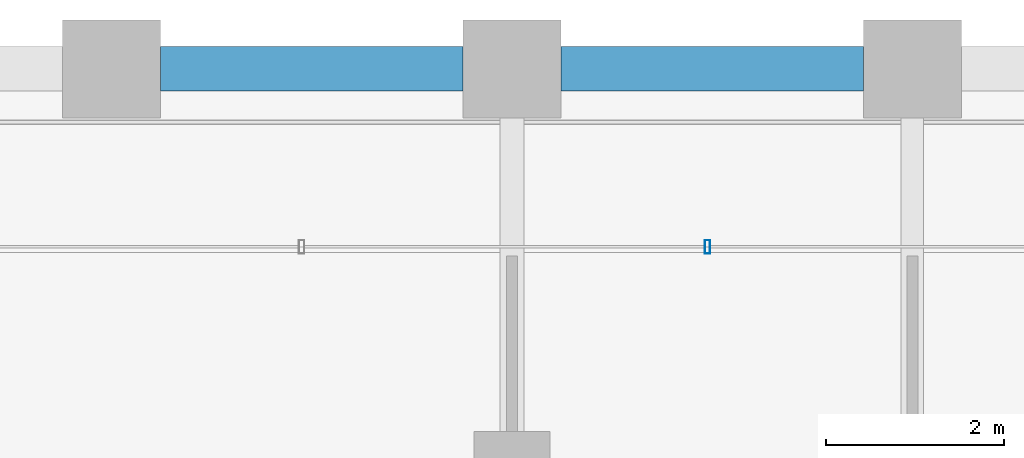
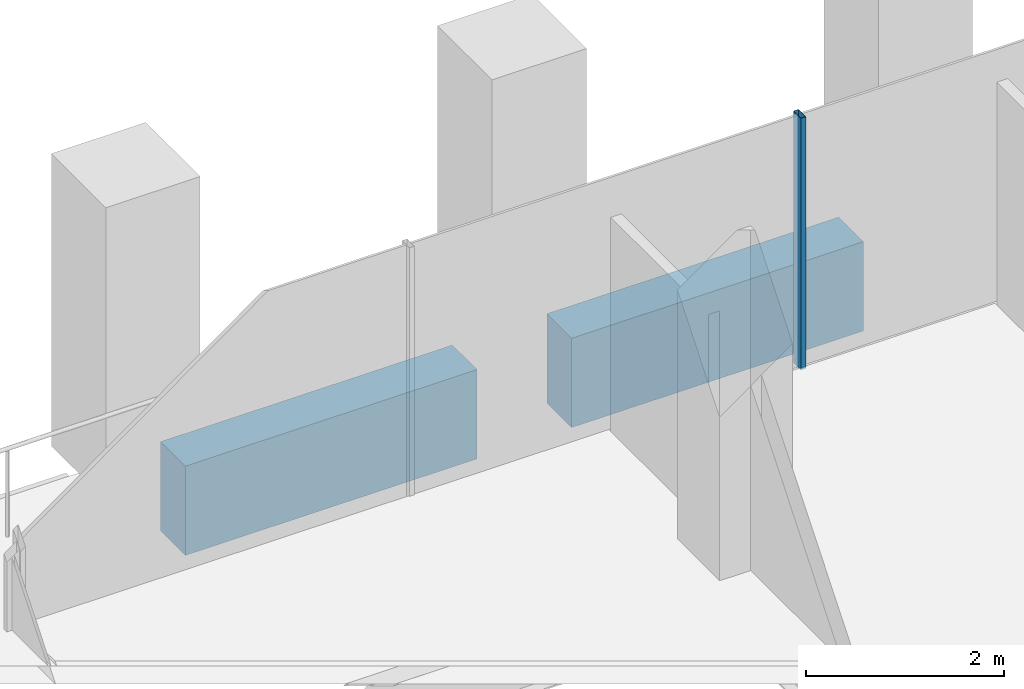
# One storey, part 27 of 56: 2 beams, 1 member, 1 element without a shape of its own.
"""IFC4 building model written with IfcOpenShell, lengths in metres."""

from ifc_helpers import new_model, si_unit, direction, frame, origin, origin_2d, place, context, subcontext, project, spatial, rectangle, hollow_rectangle, extrude, material, material_profile, profile_set, type_object, element, aggregate, save


model = new_model("IFC4")

# Units and contexts
model_context = context("Model", 3, precision=1e-05, world=origin(), true_north=direction((0.0, 1.0)))
body_context = subcontext(model_context, "Body", "Model", "MODEL_VIEW")
ifc_project = project(units=[si_unit("LENGTHUNIT", "METRE"), si_unit("AREAUNIT", "SQUARE_METRE"), si_unit("VOLUMEUNIT", "CUBIC_METRE"), si_unit("PLANEANGLEUNIT", "RADIAN"), si_unit("MASSUNIT", "GRAM", prefix="KILO")], contexts=[model_context])

# Site, building, storey
site_placement = place(None, origin())
site = spatial("IfcSite", under=ifc_project, at=site_placement, CompositionType="ELEMENT")
building_placement = place(site_placement, origin())
building = spatial("IfcBuilding", under=site, at=building_placement, Name="Altepetl Exchange Towers", CompositionType="ELEMENT")
storey_placement = place(building_placement, frame((0.0, 0.0, 76.199951171875)))
storey = spatial("IfcBuildingStorey", under=building, at=storey_placement, Name="L18", CompositionType="ELEMENT", Elevation=76.199951171875)

# Curtain wall, member
ifc_material_1 = material(Name="Aluminium 6063-T6 glazing", Category="aluminium")
curtain_wall_type = type_object("IfcCurtainWallType", Name="Loggia glazing system", PredefinedType="NOTDEFINED", material=ifc_material_1)
curtain_wall_placement = place(storey_placement, origin())
curtain_wall = element("IfcCurtainWall", 1, at=curtain_wall_placement, inside=storey, type_object=curtain_wall_type, Name="CW1 run", PredefinedType="NOTDEFINED")
ifc_material_2 = material(Name="Aluminium 6063-T6", Category="aluminium")
ifc_material_profile_1 = material_profile(ifc_material_2, hollow_rectangle(XDim=0.06005859375, YDim=0.14990234375, WallThickness=0.0029296875, at=origin_2d()), Name="Mullion 60x150 aluminium")
ifc_profile_set_1 = profile_set([ifc_material_profile_1], Name="Aluminium 6063-T6")
member_type = type_object("IfcMemberType", Name="Mullion 60x150 aluminium", PredefinedType="MULLION", material=ifc_profile_set_1)
member_placement = place(storey_placement, frame((42.696533203125, 70.0, 0.0), z_axis=(0.0, 0.0, 1.0), x_axis=(-1.0, 0.0, 0.0)))
member = element("IfcMember", 2, at=member_placement, type_object=member_type, Name="MU1 mullion", PredefinedType="MULLION", context=body_context, shape_type="SweptSolid", body=[
    extrude(hollow_rectangle(XDim=0.06005859375, YDim=0.14990234375, WallThickness=0.0029296875, at=origin_2d()), origin(), (0.0, 0.0, 1.0), 3.10009765625),
])
aggregate(curtain_wall, [member])

# Beams
ifc_material_3 = material(Name="Concrete C50/60 precast with cantera rosa facing", Category="concrete")
ifc_material_profile_2 = material_profile(ifc_material_3, rectangle(XDim=0.5, YDim=1.10009765625, at=origin_2d()), Name="500 x 1100")
ifc_profile_set_2 = profile_set([ifc_material_profile_2], Name="Concrete C50/60 precast with cantera rosa facing")
beam_type_1 = type_object("IfcBeamType", Name="Spandrel beam 500x1100 cantera rosa", PredefinedType="SPANDREL", material=ifc_profile_set_2)
beam_1_placement = place(storey_placement, frame((44.449951171875, 72.0, -0.699951171875), z_axis=(-1.0, 0.0, 0.0), x_axis=(0.0, -1.0, 0.0)))
element("IfcBeam", 3, at=beam_1_placement, inside=storey, type_object=beam_type_1, Name="sp:A:L18:029", PredefinedType="SPANDREL", context=body_context, shape_type="SweptSolid", body=[
    extrude(rectangle(XDim=0.5, YDim=1.10009765625, at=origin_2d()), origin(), (0.0, 0.0, 1.0), 3.39990234375),
])
ifc_material_4 = material(Name="Concrete C50/60 precast with tezontle facing", Category="concrete")
ifc_material_profile_3 = material_profile(ifc_material_4, rectangle(XDim=0.5, YDim=1.10009765625, at=origin_2d()), Name="500 x 1100")
ifc_profile_set_3 = profile_set([ifc_material_profile_3], Name="Concrete C50/60 precast with tezontle facing")
beam_type_2 = type_object("IfcBeamType", Name="Spandrel beam 500x1100 tezontle", PredefinedType="SPANDREL", material=ifc_profile_set_3)
beam_2_placement = place(storey_placement, frame((39.949951171875, 72.0, -0.699951171875), z_axis=(-1.0, 0.0, 0.0), x_axis=(0.0, -1.0, 0.0)))
element("IfcBeam", 4, at=beam_2_placement, inside=storey, type_object=beam_type_2, Name="sp:A:L18:030", PredefinedType="SPANDREL", context=body_context, shape_type="SweptSolid", body=[
    extrude(rectangle(XDim=0.5, YDim=1.10009765625, at=origin_2d()), origin(), (0.0, 0.0, 1.0), 3.39990234375),
])

save(model, "model.ifc")
